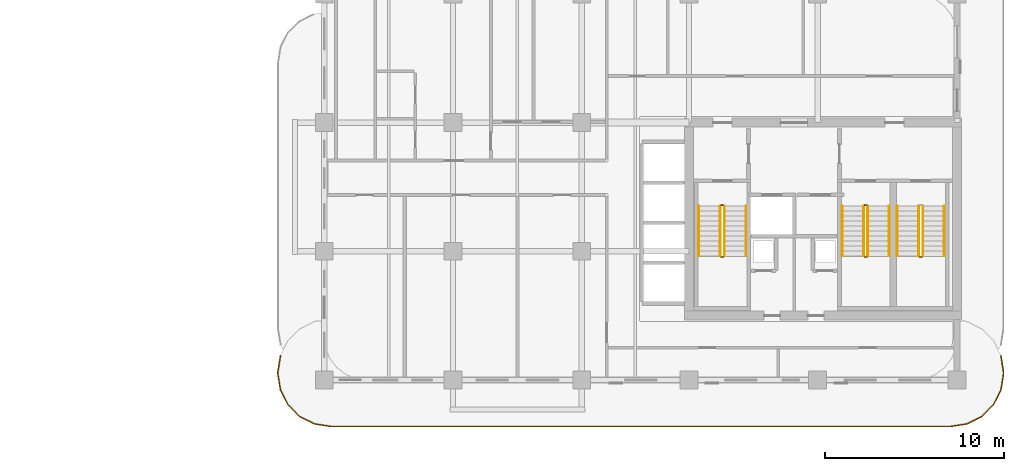
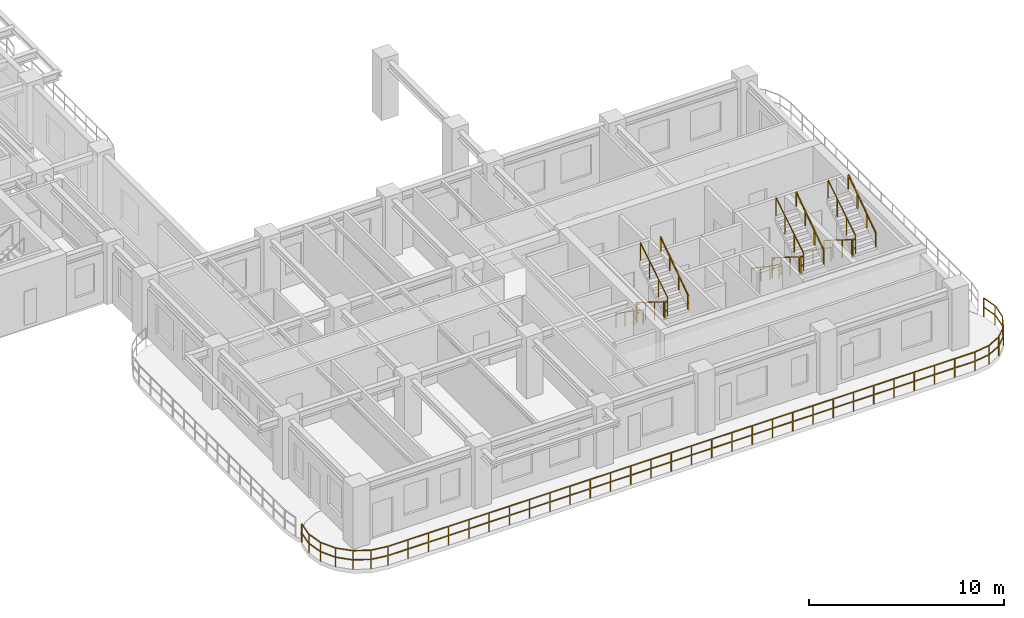
# One storey, part 12 of 15: 18 railings.
"""IFC4 building model written with IfcOpenShell, lengths in metres."""

from ifc_helpers import new_model, si_unit, derived_unit, direction, frame, origin, origin_2d, place, context, subcontext, project, spatial, rectangle, extrude, material, type_object, element, save


model = new_model("IFC4")

# Units and contexts
model_context = context("Model", 3, precision=1e-05, world=origin(), true_north=direction((0.0, 1.0)))
body_context = subcontext(model_context, "Body", "Model", "MODEL_VIEW")
ifc_project = project(units=[si_unit("LENGTHUNIT", "METRE"), si_unit("AREAUNIT", "SQUARE_METRE"), si_unit("VOLUMEUNIT", "CUBIC_METRE"), si_unit("PLANEANGLEUNIT", "RADIAN"), si_unit("MASSUNIT", "GRAM", prefix="KILO"), si_unit("THERMODYNAMICTEMPERATUREUNIT", "KELVIN"), si_unit("POWERUNIT", "WATT"), derived_unit("THERMALTRANSMITTANCEUNIT", [(si_unit("POWERUNIT", "WATT"), 1), (si_unit("AREAUNIT", "SQUARE_METRE"), -1), (si_unit("THERMODYNAMICTEMPERATUREUNIT", "KELVIN"), -1)])], contexts=[model_context])

# Site, building, storey
site_placement = place(None, origin())
site = spatial("IfcSite", under=ifc_project, at=site_placement, CompositionType="ELEMENT")
building_placement = place(site_placement, origin())
building = spatial("IfcBuilding", under=site, at=building_placement, Name="Zahravan Archway Hotel and Residences", CompositionType="ELEMENT")
storey_placement = place(building_placement, frame((0.0, 0.0, 184.949951171875)))
storey = spatial("IfcBuildingStorey", under=building, at=storey_placement, Name="L46", CompositionType="ELEMENT", Elevation=184.949951171875)

# Railings
ifc_material_1 = material(Name="Bronze & Laminated Glass Balustrade", Category="glass")
railing_type_1 = type_object("IfcRailingType", Name="RL-BAL-1200", PredefinedType="BALUSTRADE", material=ifc_material_1)
railing_1_placement = place(storey_placement, frame((52.255615234375, 1.361572265625, 0.0)))
element("IfcRailing", 1, at=railing_1_placement, inside=storey, type_object=railing_type_1, Name="L46 Balustrade RL-SLB-BAL-L46-SA-1", PredefinedType="BALUSTRADE", context=body_context, shape_type="SweptSolid", body=[
    extrude(rectangle(XDim=0.048095703125, YDim=0.048095703125, at=origin_2d()), frame((0.0, 0.0, 1.17578125), z_axis=(0.156329311416, -0.987704989555, 0.0), x_axis=(0.987704989555, 0.156329311416, 0.0)), (0.0, 0.0, 1.0), 0.9228515625),
    extrude(rectangle(XDim=0.048095703125, YDim=0.048095703125, at=origin_2d()), frame((0.0, 0.0, 0.60009765625), z_axis=(0.156329311416, -0.987704989555, 0.0), x_axis=(0.987704989555, 0.156329311416, 0.0)), (0.0, 0.0, 1.0), 0.9228515625),
    extrude(rectangle(XDim=0.048095703125, YDim=0.048095703125, at=origin_2d()), frame((0.144287109375, -0.91162109375, 1.17578125), z_axis=(0.0, -1.0, 0.0), x_axis=(1.0, 0.0, 0.0)), (0.0, 0.0, 1.0), 0.099853515625),
    extrude(rectangle(XDim=0.048095703125, YDim=0.048095703125, at=origin_2d()), frame((0.144287109375, -0.91162109375, 0.60009765625), z_axis=(0.0, -1.0, 0.0), x_axis=(1.0, 0.0, 0.0)), (0.0, 0.0, 1.0), 0.099853515625),
    extrude(rectangle(XDim=0.048095703125, YDim=0.048095703125, at=origin_2d()), frame((0.144287109375, -1.011474609375, 1.17578125), z_axis=(-0.156329311416, -0.987704989555, 0.0), x_axis=(0.987704989555, -0.156329311416, 0.0)), (0.0, 0.0, 1.0), 0.9228515625),
    extrude(rectangle(XDim=0.048095703125, YDim=0.048095703125, at=origin_2d()), frame((0.144287109375, -1.011474609375, 0.60009765625), z_axis=(-0.156329311416, -0.987704989555, 0.0), x_axis=(0.987704989555, -0.156329311416, 0.0)), (0.0, 0.0, 1.0), 0.9228515625),
    extrude(rectangle(XDim=0.048095703125, YDim=0.048095703125, at=origin_2d()), frame((0.0, -1.923095703125, 1.17578125), z_axis=(-0.453866348456, -0.891069771532, 0.0), x_axis=(0.891069771532, -0.453866348456, 0.0)), (0.0, 0.0, 1.0), 0.923095703125),
    extrude(rectangle(XDim=0.048095703125, YDim=0.048095703125, at=origin_2d()), frame((0.0, -1.923095703125, 0.60009765625), z_axis=(-0.453866348456, -0.891069771532, 0.0), x_axis=(0.891069771532, -0.453866348456, 0.0)), (0.0, 0.0, 1.0), 0.923095703125),
    extrude(rectangle(XDim=0.048095703125, YDim=0.048095703125, at=origin_2d()), frame((-0.4189453125, -2.74560546875, 1.17578125), z_axis=(-0.707106781187, -0.707106781187, 0.0), x_axis=(0.707106781187, -0.707106781187, 0.0)), (0.0, 0.0, 1.0), 0.9228515625),
    extrude(rectangle(XDim=0.048095703125, YDim=0.048095703125, at=origin_2d()), frame((-0.4189453125, -2.74560546875, 0.60009765625), z_axis=(-0.707106781187, -0.707106781187, 0.0), x_axis=(0.707106781187, -0.707106781187, 0.0)), (0.0, 0.0, 1.0), 0.9228515625),
    extrude(rectangle(XDim=0.048095703125, YDim=0.048095703125, at=origin_2d()), frame((-1.071533203125, -3.398193359375, 1.17578125), z_axis=(-0.891069771532, -0.453866348456, 0.0), x_axis=(0.453866348456, -0.891069771532, 0.0)), (0.0, 0.0, 1.0), 0.923095703125),
    extrude(rectangle(XDim=0.048095703125, YDim=0.048095703125, at=origin_2d()), frame((-1.071533203125, -3.398193359375, 0.60009765625), z_axis=(-0.891069771532, -0.453866348456, 0.0), x_axis=(0.453866348456, -0.891069771532, 0.0)), (0.0, 0.0, 1.0), 0.923095703125),
    extrude(rectangle(XDim=0.048095703125, YDim=0.048095703125, at=origin_2d()), frame((-1.89404296875, -3.817138671875, 1.17578125), z_axis=(-0.98766411426, -0.156587347521, 0.0), x_axis=(0.156587347521, -0.98766411426, 0.0)), (0.0, 0.0, 1.0), 0.923095703125),
    extrude(rectangle(XDim=0.048095703125, YDim=0.048095703125, at=origin_2d()), frame((-1.89404296875, -3.817138671875, 0.60009765625), z_axis=(-0.98766411426, -0.156587347521, 0.0), x_axis=(0.156587347521, -0.98766411426, 0.0)), (0.0, 0.0, 1.0), 0.923095703125),
    extrude(rectangle(XDim=0.048095703125, YDim=0.048095703125, at=origin_2d()), frame((-2.8056640625, -3.961669921875, 1.17578125), z_axis=(-1.0, 0.0, 0.0), x_axis=(0.0, -1.0, 0.0)), (0.0, 0.0, 1.0), 34.699951171875),
    extrude(rectangle(XDim=0.048095703125, YDim=0.048095703125, at=origin_2d()), frame((-2.8056640625, -3.961669921875, 0.60009765625), z_axis=(-1.0, 0.0, 0.0), x_axis=(0.0, -1.0, 0.0)), (0.0, 0.0, 1.0), 34.699951171875),
    extrude(rectangle(XDim=0.048095703125, YDim=0.048095703125, at=origin_2d()), frame((-37.505615234375, -3.961669921875, 1.17578125), z_axis=(-0.98766411426, 0.156587347521, 0.0), x_axis=(-0.156587347521, -0.98766411426, 0.0)), (0.0, 0.0, 1.0), 0.923095703125),
    extrude(rectangle(XDim=0.048095703125, YDim=0.048095703125, at=origin_2d()), frame((-37.505615234375, -3.961669921875, 0.60009765625), z_axis=(-0.98766411426, 0.156587347521, 0.0), x_axis=(-0.156587347521, -0.98766411426, 0.0)), (0.0, 0.0, 1.0), 0.923095703125),
    extrude(rectangle(XDim=0.048095703125, YDim=0.048095703125, at=origin_2d()), frame((-38.417236328125, -3.817138671875, 1.17578125), z_axis=(-0.891015268556, 0.453973337542, 0.0), x_axis=(-0.453973337542, -0.891015268556, 0.0)), (0.0, 0.0, 1.0), 0.9228515625),
    extrude(rectangle(XDim=0.048095703125, YDim=0.048095703125, at=origin_2d()), frame((-38.417236328125, -3.817138671875, 0.60009765625), z_axis=(-0.891015268556, 0.453973337542, 0.0), x_axis=(-0.453973337542, -0.891015268556, 0.0)), (0.0, 0.0, 1.0), 0.9228515625),
    extrude(rectangle(XDim=0.048095703125, YDim=0.048095703125, at=origin_2d()), frame((-39.239501953125, -3.398193359375, 1.17578125), z_axis=(-0.707239012465, 0.706974525176, 0.0), x_axis=(-0.706974525176, -0.707239012465, 0.0)), (0.0, 0.0, 1.0), 0.923095703125),
    extrude(rectangle(XDim=0.048095703125, YDim=0.048095703125, at=origin_2d()), frame((-39.239501953125, -3.398193359375, 0.60009765625), z_axis=(-0.707239012465, 0.706974525176, 0.0), x_axis=(-0.706974525176, -0.707239012465, 0.0)), (0.0, 0.0, 1.0), 0.923095703125),
    extrude(rectangle(XDim=0.048095703125, YDim=0.048095703125, at=origin_2d()), frame((-39.892333984375, -2.74560546875, 1.17578125), z_axis=(-0.453866348456, 0.891069771532, 0.0), x_axis=(-0.891069771532, -0.453866348456, 0.0)), (0.0, 0.0, 1.0), 0.923095703125),
    extrude(rectangle(XDim=0.048095703125, YDim=0.048095703125, at=origin_2d()), frame((-39.892333984375, -2.74560546875, 0.60009765625), z_axis=(-0.453866348456, 0.891069771532, 0.0), x_axis=(-0.891069771532, -0.453866348456, 0.0)), (0.0, 0.0, 1.0), 0.923095703125),
    extrude(rectangle(XDim=0.048095703125, YDim=0.048095703125, at=origin_2d()), frame((-40.311279296875, -1.923095703125, 1.17578125), z_axis=(-0.156329311416, 0.987704989555, 0.0), x_axis=(-0.987704989555, -0.156329311416, 0.0)), (0.0, 0.0, 1.0), 0.9228515625),
    extrude(rectangle(XDim=0.048095703125, YDim=0.048095703125, at=origin_2d()), frame((-40.311279296875, -1.923095703125, 0.60009765625), z_axis=(-0.156329311416, 0.987704989555, 0.0), x_axis=(-0.987704989555, -0.156329311416, 0.0)), (0.0, 0.0, 1.0), 0.9228515625),
    extrude(rectangle(XDim=0.048095703125, YDim=0.048095703125, at=origin_2d()), frame((-40.45556640625, -1.011474609375, 1.17578125), z_axis=(0.0, 1.0, 0.0), x_axis=(-1.0, 0.0, 0.0)), (0.0, 0.0, 1.0), 0.099853515625),
    extrude(rectangle(XDim=0.048095703125, YDim=0.048095703125, at=origin_2d()), frame((-40.45556640625, -1.011474609375, 0.60009765625), z_axis=(0.0, 1.0, 0.0), x_axis=(-1.0, 0.0, 0.0)), (0.0, 0.0, 1.0), 0.099853515625),
    extrude(rectangle(XDim=0.048095703125, YDim=0.048095703125, at=origin_2d()), frame((-40.45556640625, -0.91162109375, 1.17578125), z_axis=(0.156329311416, 0.987704989555, 0.0), x_axis=(-0.987704989555, 0.156329311416, 0.0)), (0.0, 0.0, 1.0), 0.9228515625),
    extrude(rectangle(XDim=0.048095703125, YDim=0.048095703125, at=origin_2d()), frame((-40.45556640625, -0.91162109375, 0.60009765625), z_axis=(0.156329311416, 0.987704989555, 0.0), x_axis=(-0.987704989555, 0.156329311416, 0.0)), (0.0, 0.0, 1.0), 0.9228515625),
    extrude(rectangle(XDim=0.0419921875, YDim=0.0419921875, at=origin_2d()), origin(), (0.0, 0.0, 1.0), 1.15185546875),
    extrude(rectangle(XDim=0.0419921875, YDim=0.0419921875, at=origin_2d()), frame((0.144287109375, -0.91162109375, 0.0)), (0.0, 0.0, 1.0), 1.15185546875),
    extrude(rectangle(XDim=0.0419921875, YDim=0.0419921875, at=origin_2d()), frame((0.0, -1.923095703125, 0.0)), (0.0, 0.0, 1.0), 1.15185546875),
    extrude(rectangle(XDim=0.0419921875, YDim=0.0419921875, at=origin_2d()), frame((-0.4189453125, -2.74560546875, 0.0)), (0.0, 0.0, 1.0), 1.15185546875),
    extrude(rectangle(XDim=0.0419921875, YDim=0.0419921875, at=origin_2d()), frame((-1.071533203125, -3.398193359375, 0.0)), (0.0, 0.0, 1.0), 1.15185546875),
    extrude(rectangle(XDim=0.0419921875, YDim=0.0419921875, at=origin_2d()), frame((-1.89404296875, -3.817138671875, 0.0)), (0.0, 0.0, 1.0), 1.15185546875),
    extrude(rectangle(XDim=0.0419921875, YDim=0.0419921875, at=origin_2d()), frame((-2.8056640625, -3.961669921875, 0.0)), (0.0, 0.0, 1.0), 1.15185546875),
    extrude(rectangle(XDim=0.0419921875, YDim=0.0419921875, at=origin_2d()), frame((-4.002197265625, -3.961669921875, 0.0)), (0.0, 0.0, 1.0), 1.15185546875),
    extrude(rectangle(XDim=0.0419921875, YDim=0.0419921875, at=origin_2d()), frame((-5.19873046875, -3.961669921875, 0.0)), (0.0, 0.0, 1.0), 1.15185546875),
    extrude(rectangle(XDim=0.0419921875, YDim=0.0419921875, at=origin_2d()), frame((-6.395263671875, -3.961669921875, 0.0)), (0.0, 0.0, 1.0), 1.15185546875),
    extrude(rectangle(XDim=0.0419921875, YDim=0.0419921875, at=origin_2d()), frame((-7.591796875, -3.961669921875, 0.0)), (0.0, 0.0, 1.0), 1.15185546875),
    extrude(rectangle(XDim=0.0419921875, YDim=0.0419921875, at=origin_2d()), frame((-8.788330078125, -3.961669921875, 0.0)), (0.0, 0.0, 1.0), 1.15185546875),
    extrude(rectangle(XDim=0.0419921875, YDim=0.0419921875, at=origin_2d()), frame((-9.98486328125, -3.961669921875, 0.0)), (0.0, 0.0, 1.0), 1.15185546875),
    extrude(rectangle(XDim=0.0419921875, YDim=0.0419921875, at=origin_2d()), frame((-11.181396484375, -3.961669921875, 0.0)), (0.0, 0.0, 1.0), 1.15185546875),
    extrude(rectangle(XDim=0.0419921875, YDim=0.0419921875, at=origin_2d()), frame((-12.378173828125, -3.961669921875, 0.0)), (0.0, 0.0, 1.0), 1.15185546875),
    extrude(rectangle(XDim=0.0419921875, YDim=0.0419921875, at=origin_2d()), frame((-13.57470703125, -3.961669921875, 0.0)), (0.0, 0.0, 1.0), 1.15185546875),
    extrude(rectangle(XDim=0.0419921875, YDim=0.0419921875, at=origin_2d()), frame((-14.771240234375, -3.961669921875, 0.0)), (0.0, 0.0, 1.0), 1.15185546875),
    extrude(rectangle(XDim=0.0419921875, YDim=0.0419921875, at=origin_2d()), frame((-15.9677734375, -3.961669921875, 0.0)), (0.0, 0.0, 1.0), 1.15185546875),
    extrude(rectangle(XDim=0.0419921875, YDim=0.0419921875, at=origin_2d()), frame((-17.164306640625, -3.961669921875, 0.0)), (0.0, 0.0, 1.0), 1.15185546875),
    extrude(rectangle(XDim=0.0419921875, YDim=0.0419921875, at=origin_2d()), frame((-18.36083984375, -3.961669921875, 0.0)), (0.0, 0.0, 1.0), 1.15185546875),
    extrude(rectangle(XDim=0.0419921875, YDim=0.0419921875, at=origin_2d()), frame((-19.557373046875, -3.961669921875, 0.0)), (0.0, 0.0, 1.0), 1.15185546875),
    extrude(rectangle(XDim=0.0419921875, YDim=0.0419921875, at=origin_2d()), frame((-20.75390625, -3.961669921875, 0.0)), (0.0, 0.0, 1.0), 1.15185546875),
    extrude(rectangle(XDim=0.0419921875, YDim=0.0419921875, at=origin_2d()), frame((-21.950439453125, -3.961669921875, 0.0)), (0.0, 0.0, 1.0), 1.15185546875),
    extrude(rectangle(XDim=0.0419921875, YDim=0.0419921875, at=origin_2d()), frame((-23.14697265625, -3.961669921875, 0.0)), (0.0, 0.0, 1.0), 1.15185546875),
    extrude(rectangle(XDim=0.0419921875, YDim=0.0419921875, at=origin_2d()), frame((-24.343505859375, -3.961669921875, 0.0)), (0.0, 0.0, 1.0), 1.15185546875),
    extrude(rectangle(XDim=0.0419921875, YDim=0.0419921875, at=origin_2d()), frame((-25.5400390625, -3.961669921875, 0.0)), (0.0, 0.0, 1.0), 1.15185546875),
    extrude(rectangle(XDim=0.0419921875, YDim=0.0419921875, at=origin_2d()), frame((-26.736572265625, -3.961669921875, 0.0)), (0.0, 0.0, 1.0), 1.15185546875),
    extrude(rectangle(XDim=0.0419921875, YDim=0.0419921875, at=origin_2d()), frame((-27.93310546875, -3.961669921875, 0.0)), (0.0, 0.0, 1.0), 1.15185546875),
    extrude(rectangle(XDim=0.0419921875, YDim=0.0419921875, at=origin_2d()), frame((-29.1298828125, -3.961669921875, 0.0)), (0.0, 0.0, 1.0), 1.15185546875),
    extrude(rectangle(XDim=0.0419921875, YDim=0.0419921875, at=origin_2d()), frame((-30.326416015625, -3.961669921875, 0.0)), (0.0, 0.0, 1.0), 1.15185546875),
    extrude(rectangle(XDim=0.0419921875, YDim=0.0419921875, at=origin_2d()), frame((-31.52294921875, -3.961669921875, 0.0)), (0.0, 0.0, 1.0), 1.15185546875),
    extrude(rectangle(XDim=0.0419921875, YDim=0.0419921875, at=origin_2d()), frame((-32.719482421875, -3.961669921875, 0.0)), (0.0, 0.0, 1.0), 1.15185546875),
    extrude(rectangle(XDim=0.0419921875, YDim=0.0419921875, at=origin_2d()), frame((-33.916015625, -3.961669921875, 0.0)), (0.0, 0.0, 1.0), 1.15185546875),
    extrude(rectangle(XDim=0.0419921875, YDim=0.0419921875, at=origin_2d()), frame((-35.112548828125, -3.961669921875, 0.0)), (0.0, 0.0, 1.0), 1.15185546875),
    extrude(rectangle(XDim=0.0419921875, YDim=0.0419921875, at=origin_2d()), frame((-36.30908203125, -3.961669921875, 0.0)), (0.0, 0.0, 1.0), 1.15185546875),
    extrude(rectangle(XDim=0.0419921875, YDim=0.0419921875, at=origin_2d()), frame((-37.505615234375, -3.961669921875, 0.0)), (0.0, 0.0, 1.0), 1.15185546875),
    extrude(rectangle(XDim=0.0419921875, YDim=0.0419921875, at=origin_2d()), frame((-38.417236328125, -3.817138671875, 0.0)), (0.0, 0.0, 1.0), 1.15185546875),
    extrude(rectangle(XDim=0.0419921875, YDim=0.0419921875, at=origin_2d()), frame((-39.239501953125, -3.398193359375, 0.0)), (0.0, 0.0, 1.0), 1.15185546875),
    extrude(rectangle(XDim=0.0419921875, YDim=0.0419921875, at=origin_2d()), frame((-39.892333984375, -2.74560546875, 0.0)), (0.0, 0.0, 1.0), 1.15185546875),
    extrude(rectangle(XDim=0.0419921875, YDim=0.0419921875, at=origin_2d()), frame((-40.311279296875, -1.923095703125, 0.0)), (0.0, 0.0, 1.0), 1.15185546875),
    extrude(rectangle(XDim=0.0419921875, YDim=0.0419921875, at=origin_2d()), frame((-40.45556640625, -1.011474609375, 0.0)), (0.0, 0.0, 1.0), 1.15185546875),
    extrude(rectangle(XDim=0.0419921875, YDim=0.0419921875, at=origin_2d()), frame((-40.311279296875, 0.0, 0.0)), (0.0, 0.0, 1.0), 1.15185546875),
])
ifc_material_2 = material(Name="Painted Tubular Steel", Category="steel")
railing_type_2 = type_object("IfcRailingType", Name="RL-STG-1150", PredefinedType="GUARDRAIL", material=ifc_material_2)
railing_2_placement = place(storey_placement, frame((36.550048828125, 9.72998046875, 0.175048828125)))
element("IfcRailing", 2, at=railing_2_placement, inside=storey, type_object=railing_type_2, Name="L46 ST-A1 stair guard 1", PredefinedType="GUARDRAIL", context=body_context, shape_type="SweptSolid", body=[
    extrude(rectangle(XDim=0.048095703125, YDim=0.048095703125, at=origin_2d()), frame((0.0, 0.0, 1.1259765625), z_axis=(0.0, -0.848002457836, 0.529992293815), x_axis=(1.0, 0.0, 0.0)), (0.0, 0.0, 1.0), 3.302001953125),
    extrude(rectangle(XDim=0.0419921875, YDim=0.0419921875, at=origin_2d()), origin(), (0.0, 0.0, 1.0), 1.101806640625),
    extrude(rectangle(XDim=0.0419921875, YDim=0.0419921875, at=origin_2d()), frame((0.0, -0.933349609375, 0.583251953125)), (0.0, 0.0, 1.0), 1.101806640625),
    extrude(rectangle(XDim=0.0419921875, YDim=0.0419921875, at=origin_2d()), frame((0.0, -1.86669921875, 1.166748046875)), (0.0, 0.0, 1.0), 1.101806640625),
    extrude(rectangle(XDim=0.0419921875, YDim=0.0419921875, at=origin_2d()), frame((0.0, -2.800048828125, 1.75)), (0.0, 0.0, 1.0), 1.101806640625),
])
railing_3_placement = place(storey_placement, frame((36.60009765625, 6.8798828125, 1.925048828125)))
element("IfcRailing", 3, at=railing_3_placement, inside=storey, type_object=railing_type_2, Name="L46 ST-A1 stair guard 2", PredefinedType="GUARDRAIL", context=body_context, shape_type="SweptSolid", body=[
    extrude(rectangle(XDim=0.048095703125, YDim=0.048095703125, at=origin_2d()), frame((0.0, 0.0, 1.1259765625), z_axis=(1.0, 0.0, 0.0), x_axis=(0.0, 1.0, 0.0)), (0.0, 0.0, 1.0), 0.139892578125),
    extrude(rectangle(XDim=0.048095703125, YDim=0.048095703125, at=origin_2d()), frame((0.0, 0.0, 0.574951171875), z_axis=(1.0, 0.0, 0.0), x_axis=(0.0, 1.0, 0.0)), (0.0, 0.0, 1.0), 0.139892578125),
    extrude(rectangle(XDim=0.0419921875, YDim=0.0419921875, at=origin_2d()), origin(), (0.0, 0.0, 1.0), 1.101806640625),
])
railing_4_placement = place(storey_placement, frame((36.7900390625, 6.929931640625, 2.10009765625)))
element("IfcRailing", 4, at=railing_4_placement, inside=storey, type_object=railing_type_2, Name="L46 ST-A1 stair guard 3", PredefinedType="GUARDRAIL", context=body_context, shape_type="SweptSolid", body=[
    extrude(rectangle(XDim=0.048095703125, YDim=0.048095703125, at=origin_2d()), frame((0.0, 0.0, 1.1259765625), z_axis=(0.0, 0.848002457836, 0.529992293815), x_axis=(-1.0, 0.0, 0.0)), (0.0, 0.0, 1.0), 3.302001953125),
    extrude(rectangle(XDim=0.0419921875, YDim=0.0419921875, at=origin_2d()), origin(), (0.0, 0.0, 1.0), 1.101806640625),
    extrude(rectangle(XDim=0.0419921875, YDim=0.0419921875, at=origin_2d()), frame((0.0, 0.933349609375, 0.583251953125)), (0.0, 0.0, 1.0), 1.101806640625),
    extrude(rectangle(XDim=0.0419921875, YDim=0.0419921875, at=origin_2d()), frame((0.0, 1.86669921875, 1.166748046875)), (0.0, 0.0, 1.0), 1.101806640625),
    extrude(rectangle(XDim=0.0419921875, YDim=0.0419921875, at=origin_2d()), frame((0.0, 2.800048828125, 1.75)), (0.0, 0.0, 1.0), 1.101806640625),
])
railing_5_placement = place(storey_placement, frame((36.60009765625, 9.780029296875, 0.0)))
element("IfcRailing", 5, at=railing_5_placement, inside=storey, type_object=railing_type_2, Name="L46 ST-A1 stair guard 4", PredefinedType="GUARDRAIL", context=body_context, shape_type="SweptSolid", body=[
    extrude(rectangle(XDim=0.048095703125, YDim=0.048095703125, at=origin_2d()), frame((0.0, 0.0, 1.1259765625), z_axis=(1.0, 0.0, 0.0), x_axis=(0.0, 1.0, 0.0)), (0.0, 0.0, 1.0), 0.139892578125),
    extrude(rectangle(XDim=0.048095703125, YDim=0.048095703125, at=origin_2d()), frame((0.0, 0.0, 0.574951171875), z_axis=(1.0, 0.0, 0.0), x_axis=(0.0, 1.0, 0.0)), (0.0, 0.0, 1.0), 0.139892578125),
    extrude(rectangle(XDim=0.0419921875, YDim=0.0419921875, at=origin_2d()), origin(), (0.0, 0.0, 1.0), 1.101806640625),
])
railing_6_placement = place(storey_placement, frame((44.570068359375, 9.72998046875, 0.175048828125)))
element("IfcRailing", 6, at=railing_6_placement, inside=storey, type_object=railing_type_2, Name="L46 ST-A2 stair guard 1", PredefinedType="GUARDRAIL", context=body_context, shape_type="SweptSolid", body=[
    extrude(rectangle(XDim=0.048095703125, YDim=0.048095703125, at=origin_2d()), frame((0.0, 0.0, 1.1259765625), z_axis=(0.0, -0.848002457836, 0.529992293815), x_axis=(1.0, 0.0, 0.0)), (0.0, 0.0, 1.0), 3.302001953125),
    extrude(rectangle(XDim=0.0419921875, YDim=0.0419921875, at=origin_2d()), origin(), (0.0, 0.0, 1.0), 1.101806640625),
    extrude(rectangle(XDim=0.0419921875, YDim=0.0419921875, at=origin_2d()), frame((0.0, -0.933349609375, 0.583251953125)), (0.0, 0.0, 1.0), 1.101806640625),
    extrude(rectangle(XDim=0.0419921875, YDim=0.0419921875, at=origin_2d()), frame((0.0, -1.86669921875, 1.166748046875)), (0.0, 0.0, 1.0), 1.101806640625),
    extrude(rectangle(XDim=0.0419921875, YDim=0.0419921875, at=origin_2d()), frame((0.0, -2.800048828125, 1.75)), (0.0, 0.0, 1.0), 1.101806640625),
])
railing_7_placement = place(storey_placement, frame((44.6201171875, 6.8798828125, 1.925048828125)))
element("IfcRailing", 7, at=railing_7_placement, inside=storey, type_object=railing_type_2, Name="L46 ST-A2 stair guard 2", PredefinedType="GUARDRAIL", context=body_context, shape_type="SweptSolid", body=[
    extrude(rectangle(XDim=0.048095703125, YDim=0.048095703125, at=origin_2d()), frame((0.0, 0.0, 1.1259765625), z_axis=(1.0, 0.0, 0.0), x_axis=(0.0, 1.0, 0.0)), (0.0, 0.0, 1.0), 0.139892578125),
    extrude(rectangle(XDim=0.048095703125, YDim=0.048095703125, at=origin_2d()), frame((0.0, 0.0, 0.574951171875), z_axis=(1.0, 0.0, 0.0), x_axis=(0.0, 1.0, 0.0)), (0.0, 0.0, 1.0), 0.139892578125),
    extrude(rectangle(XDim=0.0419921875, YDim=0.0419921875, at=origin_2d()), origin(), (0.0, 0.0, 1.0), 1.101806640625),
])
railing_8_placement = place(storey_placement, frame((44.81005859375, 6.929931640625, 2.10009765625)))
element("IfcRailing", 8, at=railing_8_placement, inside=storey, type_object=railing_type_2, Name="L46 ST-A2 stair guard 3", PredefinedType="GUARDRAIL", context=body_context, shape_type="SweptSolid", body=[
    extrude(rectangle(XDim=0.048095703125, YDim=0.048095703125, at=origin_2d()), frame((0.0, 0.0, 1.1259765625), z_axis=(0.0, 0.848002457836, 0.529992293815), x_axis=(-1.0, 0.0, 0.0)), (0.0, 0.0, 1.0), 3.302001953125),
    extrude(rectangle(XDim=0.0419921875, YDim=0.0419921875, at=origin_2d()), origin(), (0.0, 0.0, 1.0), 1.101806640625),
    extrude(rectangle(XDim=0.0419921875, YDim=0.0419921875, at=origin_2d()), frame((0.0, 0.933349609375, 0.583251953125)), (0.0, 0.0, 1.0), 1.101806640625),
    extrude(rectangle(XDim=0.0419921875, YDim=0.0419921875, at=origin_2d()), frame((0.0, 1.86669921875, 1.166748046875)), (0.0, 0.0, 1.0), 1.101806640625),
    extrude(rectangle(XDim=0.0419921875, YDim=0.0419921875, at=origin_2d()), frame((0.0, 2.800048828125, 1.75)), (0.0, 0.0, 1.0), 1.101806640625),
])
railing_9_placement = place(storey_placement, frame((44.6201171875, 9.780029296875, 0.0)))
element("IfcRailing", 9, at=railing_9_placement, inside=storey, type_object=railing_type_2, Name="L46 ST-A2 stair guard 4", PredefinedType="GUARDRAIL", context=body_context, shape_type="SweptSolid", body=[
    extrude(rectangle(XDim=0.048095703125, YDim=0.048095703125, at=origin_2d()), frame((0.0, 0.0, 1.1259765625), z_axis=(1.0, 0.0, 0.0), x_axis=(0.0, 1.0, 0.0)), (0.0, 0.0, 1.0), 0.139892578125),
    extrude(rectangle(XDim=0.048095703125, YDim=0.048095703125, at=origin_2d()), frame((0.0, 0.0, 0.574951171875), z_axis=(1.0, 0.0, 0.0), x_axis=(0.0, 1.0, 0.0)), (0.0, 0.0, 1.0), 0.139892578125),
    extrude(rectangle(XDim=0.0419921875, YDim=0.0419921875, at=origin_2d()), origin(), (0.0, 0.0, 1.0), 1.101806640625),
])
railing_10_placement = place(storey_placement, frame((47.64990234375, 9.72998046875, 0.175048828125)))
element("IfcRailing", 10, at=railing_10_placement, inside=storey, type_object=railing_type_2, Name="L46 ST-A3 stair guard 1", PredefinedType="GUARDRAIL", context=body_context, shape_type="SweptSolid", body=[
    extrude(rectangle(XDim=0.048095703125, YDim=0.048095703125, at=origin_2d()), frame((0.0, 0.0, 1.1259765625), z_axis=(0.0, -0.848002457836, 0.529992293815), x_axis=(1.0, 0.0, 0.0)), (0.0, 0.0, 1.0), 3.302001953125),
    extrude(rectangle(XDim=0.0419921875, YDim=0.0419921875, at=origin_2d()), origin(), (0.0, 0.0, 1.0), 1.101806640625),
    extrude(rectangle(XDim=0.0419921875, YDim=0.0419921875, at=origin_2d()), frame((0.0, -0.933349609375, 0.583251953125)), (0.0, 0.0, 1.0), 1.101806640625),
    extrude(rectangle(XDim=0.0419921875, YDim=0.0419921875, at=origin_2d()), frame((0.0, -1.86669921875, 1.166748046875)), (0.0, 0.0, 1.0), 1.101806640625),
    extrude(rectangle(XDim=0.0419921875, YDim=0.0419921875, at=origin_2d()), frame((0.0, -2.800048828125, 1.75)), (0.0, 0.0, 1.0), 1.101806640625),
])
railing_11_placement = place(storey_placement, frame((47.699951171875, 6.8798828125, 1.925048828125)))
element("IfcRailing", 11, at=railing_11_placement, inside=storey, type_object=railing_type_2, Name="L46 ST-A3 stair guard 2", PredefinedType="GUARDRAIL", context=body_context, shape_type="SweptSolid", body=[
    extrude(rectangle(XDim=0.048095703125, YDim=0.048095703125, at=origin_2d()), frame((0.0, 0.0, 1.1259765625), z_axis=(1.0, 0.0, 0.0), x_axis=(0.0, 1.0, 0.0)), (0.0, 0.0, 1.0), 0.14013671875),
    extrude(rectangle(XDim=0.048095703125, YDim=0.048095703125, at=origin_2d()), frame((0.0, 0.0, 0.574951171875), z_axis=(1.0, 0.0, 0.0), x_axis=(0.0, 1.0, 0.0)), (0.0, 0.0, 1.0), 0.14013671875),
    extrude(rectangle(XDim=0.0419921875, YDim=0.0419921875, at=origin_2d()), origin(), (0.0, 0.0, 1.0), 1.101806640625),
])
railing_12_placement = place(storey_placement, frame((47.889892578125, 6.929931640625, 2.10009765625)))
element("IfcRailing", 12, at=railing_12_placement, inside=storey, type_object=railing_type_2, Name="L46 ST-A3 stair guard 3", PredefinedType="GUARDRAIL", context=body_context, shape_type="SweptSolid", body=[
    extrude(rectangle(XDim=0.048095703125, YDim=0.048095703125, at=origin_2d()), frame((0.0, 0.0, 1.1259765625), z_axis=(0.0, 0.848002457836, 0.529992293815), x_axis=(-1.0, 0.0, 0.0)), (0.0, 0.0, 1.0), 3.302001953125),
    extrude(rectangle(XDim=0.0419921875, YDim=0.0419921875, at=origin_2d()), origin(), (0.0, 0.0, 1.0), 1.101806640625),
    extrude(rectangle(XDim=0.0419921875, YDim=0.0419921875, at=origin_2d()), frame((0.0, 0.933349609375, 0.583251953125)), (0.0, 0.0, 1.0), 1.101806640625),
    extrude(rectangle(XDim=0.0419921875, YDim=0.0419921875, at=origin_2d()), frame((0.0, 1.86669921875, 1.166748046875)), (0.0, 0.0, 1.0), 1.101806640625),
    extrude(rectangle(XDim=0.0419921875, YDim=0.0419921875, at=origin_2d()), frame((0.0, 2.800048828125, 1.75)), (0.0, 0.0, 1.0), 1.101806640625),
])
ifc_material_3 = material(Name="Brushed Stainless Steel", Category="steel")
railing_type_3 = type_object("IfcRailingType", Name="RL-STH-900", PredefinedType="HANDRAIL", material=ifc_material_3)
railing_13_placement = place(storey_placement, frame((35.35009765625, 9.72998046875, 0.175048828125)))
element("IfcRailing", 13, at=railing_13_placement, inside=storey, type_object=railing_type_3, Name="L46 ST-A1 stair handrail 1", PredefinedType="HANDRAIL", context=body_context, shape_type="SweptSolid", body=[
    extrude(rectangle(XDim=0.048095703125, YDim=0.048095703125, at=origin_2d()), frame((0.0, 0.0, 0.8759765625), z_axis=(0.0, -0.824039827795, 0.566531872191), x_axis=(1.0, 0.0, 0.0)), (0.0, 0.0, 1.0), 3.39794921875),
    extrude(rectangle(XDim=0.0419921875, YDim=0.0419921875, at=origin_2d()), origin(), (0.0, 0.0, 1.0), 0.851806640625),
    extrude(rectangle(XDim=0.0419921875, YDim=0.0419921875, at=origin_2d()), frame((0.0, -0.933349609375, 0.6416015625)), (0.0, 0.0, 1.0), 0.851806640625),
    extrude(rectangle(XDim=0.0419921875, YDim=0.0419921875, at=origin_2d()), frame((0.0, -1.86669921875, 1.283447265625)), (0.0, 0.0, 1.0), 0.851806640625),
    extrude(rectangle(XDim=0.0419921875, YDim=0.0419921875, at=origin_2d()), frame((0.0, -2.800048828125, 1.925048828125)), (0.0, 0.0, 1.0), 0.851806640625),
])
railing_14_placement = place(storey_placement, frame((37.989990234375, 6.929931640625, 2.10009765625)))
element("IfcRailing", 14, at=railing_14_placement, inside=storey, type_object=railing_type_3, Name="L46 ST-A1 stair handrail 2", PredefinedType="HANDRAIL", context=body_context, shape_type="SweptSolid", body=[
    extrude(rectangle(XDim=0.048095703125, YDim=0.048095703125, at=origin_2d()), frame((0.0, 0.0, 0.8759765625), z_axis=(0.0, 0.824039827795, 0.566531872191), x_axis=(-1.0, 0.0, 0.0)), (0.0, 0.0, 1.0), 3.39794921875),
    extrude(rectangle(XDim=0.0419921875, YDim=0.0419921875, at=origin_2d()), origin(), (0.0, 0.0, 1.0), 0.851806640625),
    extrude(rectangle(XDim=0.0419921875, YDim=0.0419921875, at=origin_2d()), frame((0.0, 0.933349609375, 0.6416015625)), (0.0, 0.0, 1.0), 0.851806640625),
    extrude(rectangle(XDim=0.0419921875, YDim=0.0419921875, at=origin_2d()), frame((0.0, 1.86669921875, 1.283447265625)), (0.0, 0.0, 1.0), 0.851806640625),
    extrude(rectangle(XDim=0.0419921875, YDim=0.0419921875, at=origin_2d()), frame((0.0, 2.800048828125, 1.925048828125)), (0.0, 0.0, 1.0), 0.851806640625),
])
railing_15_placement = place(storey_placement, frame((43.3701171875, 9.72998046875, 0.175048828125)))
element("IfcRailing", 15, at=railing_15_placement, inside=storey, type_object=railing_type_3, Name="L46 ST-A2 stair handrail 1", PredefinedType="HANDRAIL", context=body_context, shape_type="SweptSolid", body=[
    extrude(rectangle(XDim=0.048095703125, YDim=0.048095703125, at=origin_2d()), frame((0.0, 0.0, 0.8759765625), z_axis=(0.0, -0.824039827795, 0.566531872191), x_axis=(1.0, 0.0, 0.0)), (0.0, 0.0, 1.0), 3.39794921875),
    extrude(rectangle(XDim=0.0419921875, YDim=0.0419921875, at=origin_2d()), origin(), (0.0, 0.0, 1.0), 0.851806640625),
    extrude(rectangle(XDim=0.0419921875, YDim=0.0419921875, at=origin_2d()), frame((0.0, -0.933349609375, 0.6416015625)), (0.0, 0.0, 1.0), 0.851806640625),
    extrude(rectangle(XDim=0.0419921875, YDim=0.0419921875, at=origin_2d()), frame((0.0, -1.86669921875, 1.283447265625)), (0.0, 0.0, 1.0), 0.851806640625),
    extrude(rectangle(XDim=0.0419921875, YDim=0.0419921875, at=origin_2d()), frame((0.0, -2.800048828125, 1.925048828125)), (0.0, 0.0, 1.0), 0.851806640625),
])
railing_16_placement = place(storey_placement, frame((46.010009765625, 6.929931640625, 2.10009765625)))
element("IfcRailing", 16, at=railing_16_placement, inside=storey, type_object=railing_type_3, Name="L46 ST-A2 stair handrail 2", PredefinedType="HANDRAIL", context=body_context, shape_type="SweptSolid", body=[
    extrude(rectangle(XDim=0.048095703125, YDim=0.048095703125, at=origin_2d()), frame((0.0, 0.0, 0.8759765625), z_axis=(0.0, 0.824039827795, 0.566531872191), x_axis=(-1.0, 0.0, 0.0)), (0.0, 0.0, 1.0), 3.39794921875),
    extrude(rectangle(XDim=0.0419921875, YDim=0.0419921875, at=origin_2d()), origin(), (0.0, 0.0, 1.0), 0.851806640625),
    extrude(rectangle(XDim=0.0419921875, YDim=0.0419921875, at=origin_2d()), frame((0.0, 0.933349609375, 0.6416015625)), (0.0, 0.0, 1.0), 0.851806640625),
    extrude(rectangle(XDim=0.0419921875, YDim=0.0419921875, at=origin_2d()), frame((0.0, 1.86669921875, 1.283447265625)), (0.0, 0.0, 1.0), 0.851806640625),
    extrude(rectangle(XDim=0.0419921875, YDim=0.0419921875, at=origin_2d()), frame((0.0, 2.800048828125, 1.925048828125)), (0.0, 0.0, 1.0), 0.851806640625),
])
railing_17_placement = place(storey_placement, frame((46.449951171875, 9.72998046875, 0.175048828125)))
element("IfcRailing", 17, at=railing_17_placement, inside=storey, type_object=railing_type_3, Name="L46 ST-A3 stair handrail 1", PredefinedType="HANDRAIL", context=body_context, shape_type="SweptSolid", body=[
    extrude(rectangle(XDim=0.048095703125, YDim=0.048095703125, at=origin_2d()), frame((0.0, 0.0, 0.8759765625), z_axis=(0.0, -0.824039827795, 0.566531872191), x_axis=(1.0, 0.0, 0.0)), (0.0, 0.0, 1.0), 3.39794921875),
    extrude(rectangle(XDim=0.0419921875, YDim=0.0419921875, at=origin_2d()), origin(), (0.0, 0.0, 1.0), 0.851806640625),
    extrude(rectangle(XDim=0.0419921875, YDim=0.0419921875, at=origin_2d()), frame((0.0, -0.933349609375, 0.6416015625)), (0.0, 0.0, 1.0), 0.851806640625),
    extrude(rectangle(XDim=0.0419921875, YDim=0.0419921875, at=origin_2d()), frame((0.0, -1.86669921875, 1.283447265625)), (0.0, 0.0, 1.0), 0.851806640625),
    extrude(rectangle(XDim=0.0419921875, YDim=0.0419921875, at=origin_2d()), frame((0.0, -2.800048828125, 1.925048828125)), (0.0, 0.0, 1.0), 0.851806640625),
])
railing_18_placement = place(storey_placement, frame((49.090087890625, 6.929931640625, 2.10009765625)))
element("IfcRailing", 18, at=railing_18_placement, inside=storey, type_object=railing_type_3, Name="L46 ST-A3 stair handrail 2", PredefinedType="HANDRAIL", context=body_context, shape_type="SweptSolid", body=[
    extrude(rectangle(XDim=0.048095703125, YDim=0.048095703125, at=origin_2d()), frame((0.0, 0.0, 0.8759765625), z_axis=(0.0, 0.824039827795, 0.566531872191), x_axis=(-1.0, 0.0, 0.0)), (0.0, 0.0, 1.0), 3.39794921875),
    extrude(rectangle(XDim=0.0419921875, YDim=0.0419921875, at=origin_2d()), origin(), (0.0, 0.0, 1.0), 0.851806640625),
    extrude(rectangle(XDim=0.0419921875, YDim=0.0419921875, at=origin_2d()), frame((0.0, 0.933349609375, 0.6416015625)), (0.0, 0.0, 1.0), 0.851806640625),
    extrude(rectangle(XDim=0.0419921875, YDim=0.0419921875, at=origin_2d()), frame((0.0, 1.86669921875, 1.283447265625)), (0.0, 0.0, 1.0), 0.851806640625),
    extrude(rectangle(XDim=0.0419921875, YDim=0.0419921875, at=origin_2d()), frame((0.0, 2.800048828125, 1.925048828125)), (0.0, 0.0, 1.0), 0.851806640625),
])

save(model, "model.ifc")
